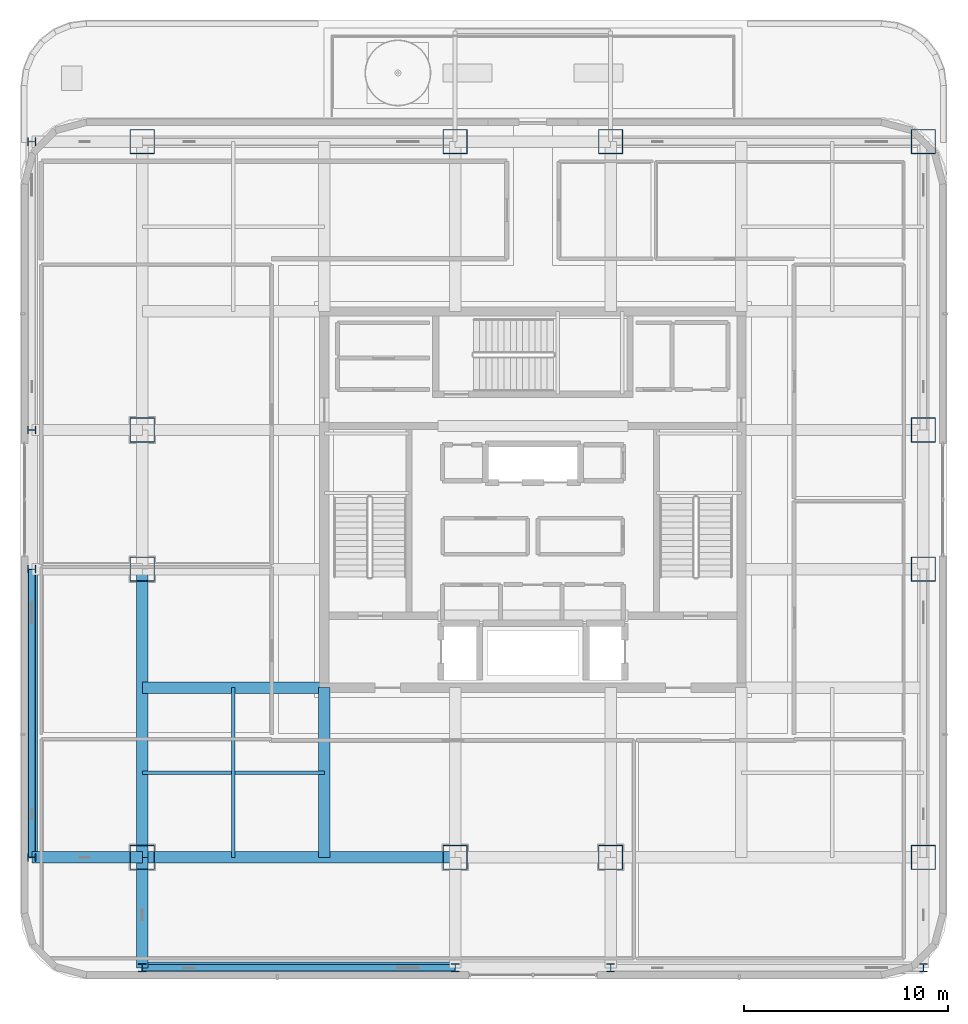
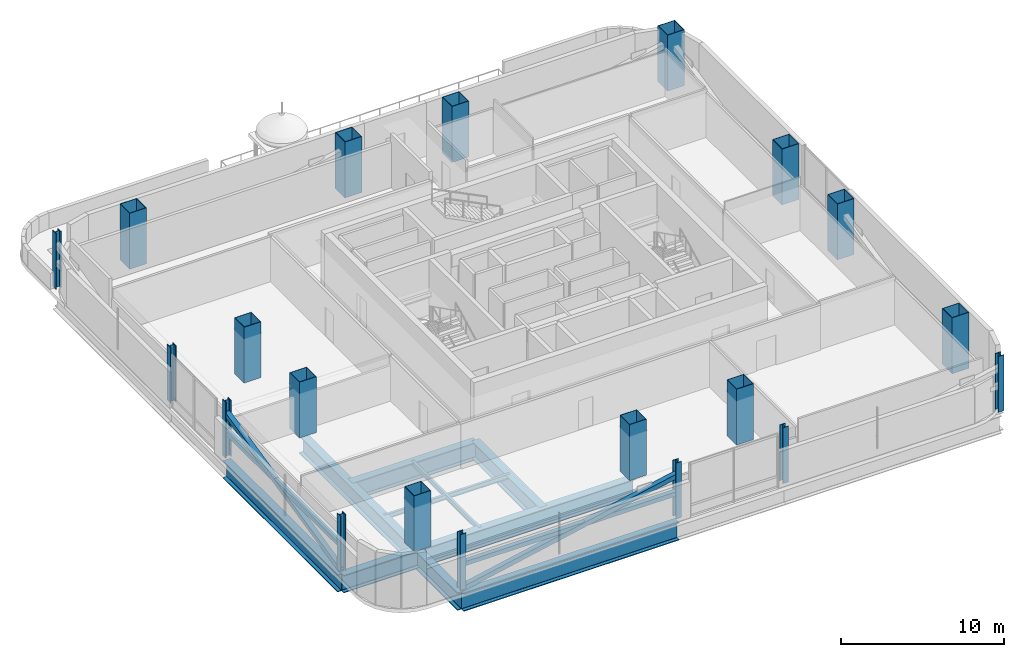
# One storey, part 1 of 28: 20 columns, 10 beams, 4 members.
"""IFC4 building model written with IfcOpenShell, lengths in metres."""

from ifc_helpers import new_model, si_unit, direction, frame, origin, origin_2d, place, context, subcontext, project, spatial, hollow_rectangle, i_section, extrude, material, material_profile, profile_set, type_object, element, save


model = new_model("IFC4")

# Units and contexts
model_context = context("Model", 3, precision=1e-05, world=origin(), true_north=direction((0.0, 1.0)))
body_context = subcontext(model_context, "Body", "Model", "MODEL_VIEW")
ifc_project = project(units=[si_unit("LENGTHUNIT", "METRE"), si_unit("AREAUNIT", "SQUARE_METRE"), si_unit("VOLUMEUNIT", "CUBIC_METRE"), si_unit("PLANEANGLEUNIT", "RADIAN"), si_unit("MASSUNIT", "GRAM", prefix="KILO")], contexts=[model_context])

# Site, building, storey
site_placement = place(None, origin())
site = spatial("IfcSite", under=ifc_project, at=site_placement, CompositionType="ELEMENT")
building_placement = place(site_placement, origin())
building = spatial("IfcBuilding", under=site, at=building_placement, Name="Punatoya Terracotta Tower", CompositionType="ELEMENT")
storey_placement = place(building_placement, frame((0.0, 0.0, 317.39990234375)))
storey = spatial("IfcBuildingStorey", under=building, at=storey_placement, Name="L75", CompositionType="ELEMENT", Elevation=317.39990234375)

# Columns
ifc_material_1 = material(Name="Steel S460", Category="steel")
ifc_material_profile_1 = material_profile(ifc_material_1, i_section(OverallWidth=0.406005859375, OverallDepth=0.416015625, WebThickness=0.029052734375, FlangeThickness=0.048095703125, FilletRadius=0.01806640625, at=origin_2d()))
ifc_profile_set_1 = profile_set([ifc_material_profile_1], Name="Steel S460")
column_type_1 = type_object("IfcColumnType", Name="COL-EX-M3", PredefinedType="COLUMN", material=ifc_profile_set_1)
for number, where, z_axis, x_axis, name in (
    (1, (-19.10009765625, -22.89990234375, 0.0), (0.0, 0.0, 1.0), (1.0, 0.0, 0.0), "L75 Exoskeleton Perimeter Column S1"),
    (2, (-3.800048828125, -22.89990234375, 0.0), (0.0, 0.0, 1.0), (1.0, 0.0, 0.0), "L75 Exoskeleton Perimeter Column S2"),
    (3, (3.800048828125, -22.89990234375, 0.0), (0.0, 0.0, 1.0), (1.0, 0.0, 0.0), "L75 Exoskeleton Perimeter Column S3"),
    (4, (19.10009765625, -22.89990234375, 0.0), (0.0, 0.0, 1.0), (1.0, 0.0, 0.0), "L75 Exoskeleton Perimeter Column S4"),
    (5, (-24.5, -17.5, 0.0), (0.0, 0.0, 1.0), (0.0, 1.0, 0.0), "L75 Exoskeleton Perimeter Column W1"),
    (6, (-24.5, -3.39990234375, 0.0), (0.0, 0.0, 1.0), (0.0, 1.0, 0.0), "L75 Exoskeleton Perimeter Column W2"),
    (7, (-24.5, 3.39990234375, 0.0), (0.0, 0.0, 1.0), (0.0, 1.0, 0.0), "L75 Exoskeleton Perimeter Column W3"),
    (8, (-24.5, 17.5, 0.0), (0.0, 0.0, 1.0), (0.0, 1.0, 0.0), "L75 Exoskeleton Perimeter Column W4"),
):
    element("IfcColumn", number, at=place(storey_placement, frame(where, z_axis=z_axis, x_axis=x_axis)), inside=storey, type_object=column_type_1, Name=name, PredefinedType="COLUMN", context=body_context, shape_type="SweptSolid", body=[
        extrude(i_section(OverallWidth=0.406005859375, OverallDepth=0.416015625, WebThickness=0.029052734375, FlangeThickness=0.048095703125, FilletRadius=0.01806640625, at=origin_2d()), origin(), (0.0, 0.0, 1.0), 4.197998046875),
    ])
ifc_material_profile_2 = material_profile(ifc_material_1, hollow_rectangle(XDim=1.199951171875, YDim=1.199951171875, WallThickness=0.034912109375, at=origin_2d()))
ifc_profile_set_2 = profile_set([ifc_material_profile_2], Name="Steel S460")
column_type_2 = type_object("IfcColumnType", Name="COL-MC-Z4", PredefinedType="COLUMN", material=ifc_profile_set_2)
for number, where, z_axis, x_axis, name in (
    (9, (-19.10009765625, -17.5, 0.0), (0.0, 0.0, 1.0), (1.0, 0.0, 0.0), "L75 Composite Mega-Column MC-01 (3-B)"),
    (10, (-3.800048828125, -17.5, 0.0), (0.0, 0.0, 1.0), (1.0, 0.0, 0.0), "L75 Composite Mega-Column MC-02 (5-B)"),
    (11, (3.800048828125, -17.5, 0.0), (0.0, 0.0, 1.0), (1.0, 0.0, 0.0), "L75 Composite Mega-Column MC-03 (7-B)"),
    (12, (19.10009765625, -17.5, 0.0), (0.0, 0.0, 1.0), (1.0, 0.0, 0.0), "L75 Composite Mega-Column MC-04 (9-B)"),
    (13, (19.10009765625, -3.39990234375, 0.0), (0.0, 0.0, 1.0), (1.0, 0.0, 0.0), "L75 Composite Mega-Column MC-05 (9-D)"),
    (14, (19.10009765625, 3.39990234375, 0.0), (0.0, 0.0, 1.0), (1.0, 0.0, 0.0), "L75 Composite Mega-Column MC-06 (9-E)"),
    (15, (19.10009765625, 17.5, 0.0), (0.0, 0.0, 1.0), (1.0, 0.0, 0.0), "L75 Composite Mega-Column MC-07 (9-G)"),
    (16, (3.800048828125, 17.5, 0.0), (0.0, 0.0, 1.0), (1.0, 0.0, 0.0), "L75 Composite Mega-Column MC-08 (7-G)"),
    (17, (-3.800048828125, 17.5, 0.0), (0.0, 0.0, 1.0), (1.0, 0.0, 0.0), "L75 Composite Mega-Column MC-09 (5-G)"),
    (18, (-19.10009765625, 17.5, 0.0), (0.0, 0.0, 1.0), (1.0, 0.0, 0.0), "L75 Composite Mega-Column MC-10 (3-G)"),
    (19, (-19.10009765625, 3.39990234375, 0.0), (0.0, 0.0, 1.0), (1.0, 0.0, 0.0), "L75 Composite Mega-Column MC-11 (3-E)"),
    (20, (-19.10009765625, -3.39990234375, 0.0), (0.0, 0.0, 1.0), (1.0, 0.0, 0.0), "L75 Composite Mega-Column MC-12 (3-D)"),
):
    element("IfcColumn", number, at=place(storey_placement, frame(where, z_axis=z_axis, x_axis=x_axis)), inside=storey, type_object=column_type_2, Name=name, PredefinedType="COLUMN", context=body_context, shape_type="SweptSolid", body=[
        extrude(hollow_rectangle(XDim=1.199951171875, YDim=1.199951171875, WallThickness=0.034912109375, at=origin_2d()), origin(), (0.0, 0.0, 1.0), 4.2001953125),
    ])

# Beams
ifc_material_2 = material(Name="Steel S355", Category="steel")
ifc_material_profile_3 = material_profile(ifc_material_2, i_section(OverallWidth=0.169921875, OverallDepth=0.360107421875, WebThickness=0.008056640625, FlangeThickness=0.0126953125, FilletRadius=0.01806640625, at=origin_2d()))
ifc_profile_set_3 = profile_set([ifc_material_profile_3], Name="Steel S355")
beam_type_1 = type_object("IfcBeamType", Name="BM-SEC-360", PredefinedType="JOIST", material=ifc_profile_set_3)
beam_1_placement = place(storey_placement, frame((-19.10009765625, -13.35009765625, -0.4599609375), z_axis=(1.0, 0.0, 0.0), x_axis=(0.0, 1.0, 0.0)))
element("IfcBeam", 21, at=beam_1_placement, inside=storey, type_object=beam_type_1, Name="BM-L75-SJS-1", PredefinedType="JOIST", context=body_context, shape_type="SweptSolid", body=[
    extrude(i_section(OverallWidth=0.169921875, OverallDepth=0.360107421875, WebThickness=0.008056640625, FlangeThickness=0.0126953125, FilletRadius=0.01806640625, at=origin_2d()), origin(), (0.0, 0.0, 1.0), 8.900146484375),
])
beam_2_placement = place(storey_placement, frame((-14.64990234375, -17.5, -0.4599609375), z_axis=(0.0, 1.0, 0.0), x_axis=(-1.0, 0.0, 0.0)))
element("IfcBeam", 22, at=beam_2_placement, inside=storey, type_object=beam_type_1, Name="BM-L75-SJW-1", PredefinedType="JOIST", context=body_context, shape_type="SweptSolid", body=[
    extrude(i_section(OverallWidth=0.169921875, OverallDepth=0.360107421875, WebThickness=0.008056640625, FlangeThickness=0.0126953125, FilletRadius=0.01806640625, at=origin_2d()), origin(), (0.0, 0.0, 1.0), 8.300048828125),
])
ifc_material_profile_4 = material_profile(ifc_material_1, i_section(OverallWidth=0.56005859375, OverallDepth=1.320068359375, WebThickness=0.035888671875, FlangeThickness=0.054931640625, FilletRadius=0.01806640625, at=origin_2d()))
ifc_profile_set_4 = profile_set([ifc_material_profile_4], Name="Steel S460")
beam_type_2 = type_object("IfcBeamType", Name="BM-TG-BLK", PredefinedType="BEAM", material=ifc_profile_set_4)
beam_3_placement = place(storey_placement, frame((-19.10009765625, -17.5, -0.93994140625), z_axis=(1.0, 0.0, 0.0), x_axis=(0.0, 1.0, 0.0)))
element("IfcBeam", 23, at=beam_3_placement, inside=storey, type_object=beam_type_2, Name="BM-L75-RG-S1", PredefinedType="BEAM", context=body_context, shape_type="SweptSolid", body=[
    extrude(i_section(OverallWidth=0.56005859375, OverallDepth=1.320068359375, WebThickness=0.035888671875, FlangeThickness=0.054931640625, FilletRadius=0.01806640625, at=origin_2d()), origin(), (0.0, 0.0, 1.0), 15.300048828125),
])
beam_4_placement = place(storey_placement, frame((-19.10009765625, -17.5, -0.93994140625), z_axis=(0.0, 1.0, 0.0), x_axis=(-1.0, 0.0, 0.0)))
element("IfcBeam", 24, at=beam_4_placement, inside=storey, type_object=beam_type_2, Name="BM-L75-RG-W1", PredefinedType="BEAM", context=body_context, shape_type="SweptSolid", body=[
    extrude(i_section(OverallWidth=0.56005859375, OverallDepth=1.320068359375, WebThickness=0.035888671875, FlangeThickness=0.054931640625, FilletRadius=0.01806640625, at=origin_2d()), origin(), (0.0, 0.0, 1.0), 14.10009765625),
])
beam_5_placement = place(storey_placement, frame((-19.10009765625, -9.199951171875, -0.93994140625), z_axis=(1.0, 0.0, 0.0), x_axis=(0.0, 1.0, 0.0)))
element("IfcBeam", 25, at=beam_5_placement, inside=storey, type_object=beam_type_2, Name="BM-L75-PR-WS", PredefinedType="BEAM", context=body_context, shape_type="SweptSolid", body=[
    extrude(i_section(OverallWidth=0.56005859375, OverallDepth=1.320068359375, WebThickness=0.035888671875, FlangeThickness=0.054931640625, FilletRadius=0.01806640625, at=origin_2d()), origin(), (0.0, 0.0, 1.0), 8.900146484375),
])
beam_6_placement = place(storey_placement, frame((-10.199951171875, -17.5, -0.93994140625), z_axis=(0.0, 1.0, 0.0), x_axis=(-1.0, 0.0, 0.0)))
element("IfcBeam", 26, at=beam_6_placement, inside=storey, type_object=beam_type_2, Name="BM-L75-PR-S1", PredefinedType="BEAM", context=body_context, shape_type="SweptSolid", body=[
    extrude(i_section(OverallWidth=0.56005859375, OverallDepth=1.320068359375, WebThickness=0.035888671875, FlangeThickness=0.054931640625, FilletRadius=0.01806640625, at=origin_2d()), origin(), (0.0, 0.0, 1.0), 8.300048828125),
])
for number, where, z_axis, x_axis, name in (
    (27, (-24.5, -17.5, -0.93994140625), (1.0, 0.0, 0.0), (0.0, 1.0, 0.0), "BM-L75-CANT-W1"),
    (28, (-19.10009765625, -22.89990234375, -0.93994140625), (0.0, 1.0, 0.0), (-1.0, 0.0, 0.0), "BM-L75-CANT-S1"),
):
    element("IfcBeam", number, at=place(storey_placement, frame(where, z_axis=z_axis, x_axis=x_axis)), inside=storey, type_object=beam_type_2, Name=name, PredefinedType="BEAM", context=body_context, shape_type="SweptSolid", body=[
        extrude(i_section(OverallWidth=0.56005859375, OverallDepth=1.320068359375, WebThickness=0.035888671875, FlangeThickness=0.054931640625, FilletRadius=0.01806640625, at=origin_2d()), origin(), (0.0, 0.0, 1.0), 5.39990234375),
    ])
beam_7_placement = place(storey_placement, frame((-19.10009765625, -22.89990234375, -0.93994140625), z_axis=(1.0, 0.0, 0.0), x_axis=(0.0, 1.0, 0.0)))
element("IfcBeam", 29, at=beam_7_placement, inside=storey, type_object=beam_type_2, Name="BM-L75-PER-S1", PredefinedType="BEAM", context=body_context, shape_type="SweptSolid", body=[
    extrude(i_section(OverallWidth=0.56005859375, OverallDepth=1.320068359375, WebThickness=0.035888671875, FlangeThickness=0.054931640625, FilletRadius=0.01806640625, at=origin_2d()), origin(), (0.0, 0.0, 1.0), 15.300048828125),
])
beam_8_placement = place(storey_placement, frame((-24.5, -17.5, -0.93994140625), z_axis=(0.0, 1.0, 0.0), x_axis=(-1.0, 0.0, 0.0)))
element("IfcBeam", 30, at=beam_8_placement, inside=storey, type_object=beam_type_2, Name="BM-L75-PER-W1", PredefinedType="BEAM", context=body_context, shape_type="SweptSolid", body=[
    extrude(i_section(OverallWidth=0.56005859375, OverallDepth=1.320068359375, WebThickness=0.035888671875, FlangeThickness=0.054931640625, FilletRadius=0.01806640625, at=origin_2d()), origin(), (0.0, 0.0, 1.0), 14.10009765625),
])

# Members
ifc_material_profile_5 = material_profile(ifc_material_1, hollow_rectangle(XDim=0.320068359375, YDim=0.320068359375, WallThickness=0.01806640625, at=origin_2d()))
ifc_profile_set_5 = profile_set([ifc_material_profile_5], Name="Steel S460")
member_type_1 = type_object("IfcMemberType", Name="MEM-CHD-320", PredefinedType="CHORD", material=ifc_profile_set_5)
member_1_placement = place(storey_placement, frame((-19.10009765625, -22.89990234375, 1.85009765625), z_axis=(1.0, 0.0, 0.0), x_axis=(0.0, 1.0, 0.0)))
element("IfcMember", 31, at=member_1_placement, inside=storey, type_object=member_type_1, Name="L75 Exoskeleton Belt Truss Tie Chord S1", PredefinedType="CHORD", context=body_context, shape_type="SweptSolid", body=[
    extrude(hollow_rectangle(XDim=0.320068359375, YDim=0.320068359375, WallThickness=0.01806640625, at=origin_2d()), origin(), (0.0, 0.0, 1.0), 15.300048828125),
])
member_2_placement = place(storey_placement, frame((-24.5, -17.5, 1.85009765625), z_axis=(0.0, 1.0, 0.0), x_axis=(-1.0, 0.0, 0.0)))
element("IfcMember", 32, at=member_2_placement, inside=storey, type_object=member_type_1, Name="L75 Exoskeleton Belt Truss Tie Chord W1", PredefinedType="CHORD", context=body_context, shape_type="SweptSolid", body=[
    extrude(hollow_rectangle(XDim=0.320068359375, YDim=0.320068359375, WallThickness=0.01806640625, at=origin_2d()), origin(), (0.0, 0.0, 1.0), 14.10009765625),
])
ifc_material_profile_6 = material_profile(ifc_material_1, hollow_rectangle(XDim=0.35009765625, YDim=0.35009765625, WallThickness=0.01806640625, at=origin_2d()))
ifc_profile_set_6 = profile_set([ifc_material_profile_6], Name="Steel S460")
member_type_2 = type_object("IfcMemberType", Name="MEM-EXO-350", PredefinedType="BRACE", material=ifc_profile_set_6)
member_3_placement = place(storey_placement, frame((-19.10009765625, -22.89990234375, 0.02001953125), z_axis=(0.979074028043, 0.0, 0.203504416686), x_axis=(0.0, 1.0, 0.0)))
element("IfcMember", 33, at=member_3_placement, inside=storey, type_object=member_type_2, Name="L75 Exoskeleton Belt Brace S1", PredefinedType="BRACE", context=body_context, shape_type="SweptSolid", body=[
    extrude(hollow_rectangle(XDim=0.35009765625, YDim=0.35009765625, WallThickness=0.01806640625, at=origin_2d()), origin(), (0.0, 0.0, 1.0), 15.626953125),
])
member_4_placement = place(storey_placement, frame((-24.5, -17.5, 0.02001953125), z_axis=(0.0, 0.975496225181, 0.220016169083), x_axis=(-1.0, 0.0, 0.0)))
element("IfcMember", 34, at=member_4_placement, inside=storey, type_object=member_type_2, Name="L75 Exoskeleton Belt Brace W1", PredefinedType="BRACE", context=body_context, shape_type="SweptSolid", body=[
    extrude(hollow_rectangle(XDim=0.35009765625, YDim=0.35009765625, WallThickness=0.01806640625, at=origin_2d()), origin(), (0.0, 0.0, 1.0), 14.454345703125),
])

save(model, "model.ifc")
